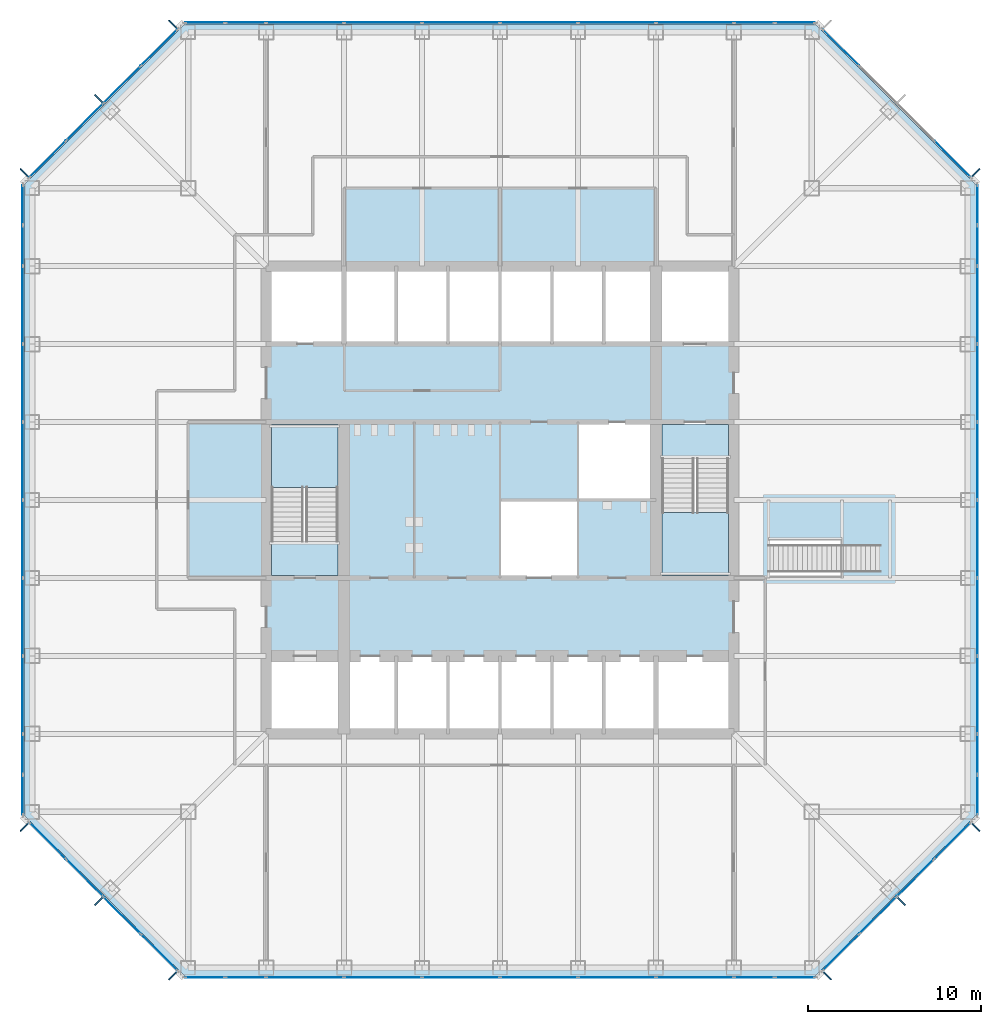
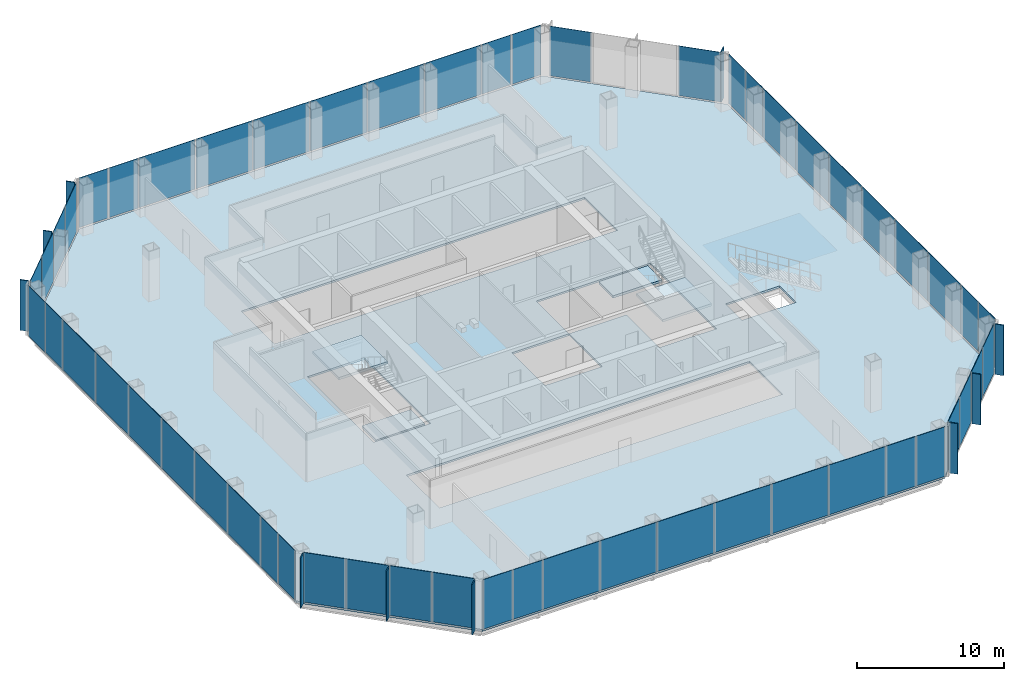
# One storey, part 7 of 12: 64 plates, 5 slabs, 10 elements without a shape of their own.
"""IFC4 building model written with IfcOpenShell, lengths in metres."""

from ifc_helpers import new_model, si_unit, direction, frame, origin, origin_2d, place, context, subcontext, project, spatial, polyline, rectangle, outline, extrude, material, layer, layer_set, type_object, element, aggregate, save


model = new_model("IFC4")

# Units and contexts
model_context = context("Model", 3, precision=1e-05, world=origin(), true_north=direction((0.0, 1.0)))
body_context = subcontext(model_context, "Body", "Model", "MODEL_VIEW")
ifc_project = project(units=[si_unit("LENGTHUNIT", "METRE"), si_unit("AREAUNIT", "SQUARE_METRE"), si_unit("VOLUMEUNIT", "CUBIC_METRE"), si_unit("PLANEANGLEUNIT", "RADIAN"), si_unit("MASSUNIT", "GRAM", prefix="KILO")], contexts=[model_context])

# Site, building, storey
site_placement = place(None, origin())
site = spatial("IfcSite", under=ifc_project, at=site_placement, CompositionType="ELEMENT")
building_placement = place(site_placement, origin())
building = spatial("IfcBuilding", under=site, at=building_placement, Name="Corais Broadcast Tower", CompositionType="ELEMENT")
storey_placement = place(building_placement, frame((0.0, 0.0, 33.199951171875)))
storey = spatial("IfcBuildingStorey", under=building, at=storey_placement, Name="L06", CompositionType="ELEMENT", Elevation=33.199951171875)

# Curtain wall, plates
ifc_material_1 = material(Name="Aluminium and glass", Category="aluminium")
curtain_wall_type = type_object("IfcCurtainWallType", Name="Newsroom clear-glass curtain wall CW7", PredefinedType="NOTDEFINED", material=ifc_material_1)
curtain_wall_1_placement = place(storey_placement, origin())
curtain_wall_1 = element("IfcCurtainWall", 1, at=curtain_wall_1_placement, inside=storey, type_object=curtain_wall_type, Name="CW7 curtain wall L06 1", PredefinedType="NOTDEFINED")
ifc_material_2 = material(Name="Clear low-iron laminated glass", Category="glass")
ifc_layer_1 = layer(ifc_material_2, 0.032958984375)
ifc_layer_set_1 = layer_set([ifc_layer_1], Name="Clear low-iron laminated glass")
plate_type_1 = type_object("IfcPlateType", Name="Clear glass panel CW7", PredefinedType="CURTAIN_PANEL", material=ifc_layer_set_1)
plate_1_placement = place(storey_placement, frame((7.330322265625, 0.891845703125, 0.06494140625), z_axis=(0.0, 0.0, 1.0), x_axis=(-0.707106781187, 0.707106781187, 0.0)))
plate_1 = element("IfcPlate", 2, at=plate_1_placement, type_object=plate_type_1, Name="CW7 panel 1", PredefinedType="CURTAIN_PANEL", context=body_context, shape_type="SweptSolid", body=[
    extrude(rectangle(XDim=2.9482421875, YDim=0.032958984375, at=origin_2d()), origin(), (0.0, 0.0, 1.0), 4.135009765625),
])
plate_2_placement = place(storey_placement, frame((3.0341796875, 5.18798828125, 0.06494140625), z_axis=(0.0, 0.0, 1.0), x_axis=(-0.707106781187, 0.707106781187, 0.0)))
plate_2 = element("IfcPlate", 3, at=plate_2_placement, type_object=plate_type_1, Name="CW7 panel 3", PredefinedType="CURTAIN_PANEL", context=body_context, shape_type="SweptSolid", body=[
    extrude(rectangle(XDim=2.98095703125, YDim=0.032958984375, at=origin_2d()), origin(), (0.0, 0.0, 1.0), 4.135009765625),
])

curtain_wall_2_placement = place(storey_placement, origin())
curtain_wall_2 = element("IfcCurtainWall", 4, at=curtain_wall_2_placement, inside=storey, type_object=curtain_wall_type, Name="CW7 curtain wall L06 2", PredefinedType="NOTDEFINED")
plate_3_placement = place(storey_placement, frame((-0.550048828125, 9.970458984375, 0.06494140625), z_axis=(0.0, 0.0, 1.0), x_axis=(0.0, 1.0, 0.0)))
plate_3 = element("IfcPlate", 5, at=plate_3_placement, type_object=plate_type_1, Name="CW7 panel 1", PredefinedType="CURTAIN_PANEL", context=body_context, shape_type="SweptSolid", body=[
    extrude(rectangle(XDim=2.266357421875, YDim=0.032958984375, at=origin_2d()), origin(), (0.0, 0.0, 1.0), 4.135009765625),
])
plate_4_placement = place(storey_placement, frame((-0.550048828125, 15.75, 0.06494140625), z_axis=(0.0, 0.0, 1.0), x_axis=(0.0, 1.0, 0.0)))
plate_4 = element("IfcPlate", 6, at=plate_4_placement, type_object=plate_type_1, Name="CW7 panel 3", PredefinedType="CURTAIN_PANEL", context=body_context, shape_type="SweptSolid", body=[
    extrude(rectangle(XDim=4.43505859375, YDim=0.032958984375, at=origin_2d()), origin(), (0.0, 0.0, 1.0), 4.135009765625),
])
plate_5_placement = place(storey_placement, frame((-0.550048828125, 24.75, 0.06494140625), z_axis=(0.0, 0.0, 1.0), x_axis=(0.0, 1.0, 0.0)))
plate_5 = element("IfcPlate", 7, at=plate_5_placement, type_object=plate_type_1, Name="CW7 panel 5", PredefinedType="CURTAIN_PANEL", context=body_context, shape_type="SweptSolid", body=[
    extrude(rectangle(XDim=4.43505859375, YDim=0.032958984375, at=origin_2d()), origin(), (0.0, 0.0, 1.0), 4.135009765625),
])
plate_6_placement = place(storey_placement, frame((-0.550048828125, 33.75, 0.06494140625), z_axis=(0.0, 0.0, 1.0), x_axis=(0.0, 1.0, 0.0)))
plate_6 = element("IfcPlate", 8, at=plate_6_placement, type_object=plate_type_1, Name="CW7 panel 7", PredefinedType="CURTAIN_PANEL", context=body_context, shape_type="SweptSolid", body=[
    extrude(rectangle(XDim=4.43505859375, YDim=0.032958984375, at=origin_2d()), origin(), (0.0, 0.0, 1.0), 4.135009765625),
])
plate_7_placement = place(storey_placement, frame((-0.550048828125, 41.681884765625, 0.06494140625), z_axis=(0.0, 0.0, 1.0), x_axis=(0.0, 1.0, 0.0)))
plate_7 = element("IfcPlate", 9, at=plate_7_placement, type_object=plate_type_1, Name="CW7 panel 9", PredefinedType="CURTAIN_PANEL", context=body_context, shape_type="SweptSolid", body=[
    extrude(rectangle(XDim=2.298828125, YDim=0.032958984375, at=origin_2d()), origin(), (0.0, 0.0, 1.0), 4.135009765625),
])

curtain_wall_3_placement = place(storey_placement, origin())
curtain_wall_3 = element("IfcCurtainWall", 10, at=curtain_wall_3_placement, inside=storey, type_object=curtain_wall_type, Name="CW7 curtain wall L06 3", PredefinedType="NOTDEFINED")
plate_8_placement = place(storey_placement, frame((0.891845703125, 46.669677734375, 0.06494140625), z_axis=(0.0, 0.0, 1.0), x_axis=(0.707106781187, 0.707106781187, 0.0)))
plate_8 = element("IfcPlate", 11, at=plate_8_placement, type_object=plate_type_1, Name="CW7 panel 1", PredefinedType="CURTAIN_PANEL", context=body_context, shape_type="SweptSolid", body=[
    extrude(rectangle(XDim=2.9482421875, YDim=0.032958984375, at=origin_2d()), origin(), (0.0, 0.0, 1.0), 4.135009765625),
])
plate_9_placement = place(storey_placement, frame((5.18798828125, 50.9658203125, 0.06494140625), z_axis=(0.0, 0.0, 1.0), x_axis=(0.707106781187, 0.707106781187, 0.0)))
plate_9 = element("IfcPlate", 12, at=plate_9_placement, type_object=plate_type_1, Name="CW7 panel 3", PredefinedType="CURTAIN_PANEL", context=body_context, shape_type="SweptSolid", body=[
    extrude(rectangle(XDim=2.98095703125, YDim=0.032958984375, at=origin_2d()), origin(), (0.0, 0.0, 1.0), 4.135009765625),
])

curtain_wall_4_placement = place(storey_placement, origin())
curtain_wall_4 = element("IfcCurtainWall", 13, at=curtain_wall_4_placement, inside=storey, type_object=curtain_wall_type, Name="CW7 curtain wall L06 4", PredefinedType="NOTDEFINED")
plate_10_placement = place(storey_placement, frame((9.970458984375, 54.550048828125, 0.06494140625), z_axis=(0.0, 0.0, 1.0), x_axis=(1.0, 0.0, 0.0)))
plate_10 = element("IfcPlate", 14, at=plate_10_placement, type_object=plate_type_1, Name="CW7 panel 1", PredefinedType="CURTAIN_PANEL", context=body_context, shape_type="SweptSolid", body=[
    extrude(rectangle(XDim=2.266357421875, YDim=0.032958984375, at=origin_2d()), origin(), (0.0, 0.0, 1.0), 4.135009765625),
])
plate_11_placement = place(storey_placement, frame((15.75, 54.550048828125, 0.06494140625), z_axis=(0.0, 0.0, 1.0), x_axis=(1.0, 0.0, 0.0)))
plate_11 = element("IfcPlate", 15, at=plate_11_placement, type_object=plate_type_1, Name="CW7 panel 3", PredefinedType="CURTAIN_PANEL", context=body_context, shape_type="SweptSolid", body=[
    extrude(rectangle(XDim=4.43505859375, YDim=0.032958984375, at=origin_2d()), origin(), (0.0, 0.0, 1.0), 4.135009765625),
])
plate_12_placement = place(storey_placement, frame((24.75, 54.550048828125, 0.06494140625), z_axis=(0.0, 0.0, 1.0), x_axis=(1.0, 0.0, 0.0)))
plate_12 = element("IfcPlate", 16, at=plate_12_placement, type_object=plate_type_1, Name="CW7 panel 5", PredefinedType="CURTAIN_PANEL", context=body_context, shape_type="SweptSolid", body=[
    extrude(rectangle(XDim=4.43505859375, YDim=0.032958984375, at=origin_2d()), origin(), (0.0, 0.0, 1.0), 4.135009765625),
])
plate_13_placement = place(storey_placement, frame((33.75, 54.550048828125, 0.06494140625), z_axis=(0.0, 0.0, 1.0), x_axis=(1.0, 0.0, 0.0)))
plate_13 = element("IfcPlate", 17, at=plate_13_placement, type_object=plate_type_1, Name="CW7 panel 7", PredefinedType="CURTAIN_PANEL", context=body_context, shape_type="SweptSolid", body=[
    extrude(rectangle(XDim=4.43505859375, YDim=0.032958984375, at=origin_2d()), origin(), (0.0, 0.0, 1.0), 4.135009765625),
])
plate_14_placement = place(storey_placement, frame((41.681884765625, 54.550048828125, 0.06494140625), z_axis=(0.0, 0.0, 1.0), x_axis=(1.0, 0.0, 0.0)))
plate_14 = element("IfcPlate", 18, at=plate_14_placement, type_object=plate_type_1, Name="CW7 panel 9", PredefinedType="CURTAIN_PANEL", context=body_context, shape_type="SweptSolid", body=[
    extrude(rectangle(XDim=2.298828125, YDim=0.032958984375, at=origin_2d()), origin(), (0.0, 0.0, 1.0), 4.135009765625),
])

# Curtain wall, plate
curtain_wall_5_placement = place(storey_placement, origin())
curtain_wall_5 = element("IfcCurtainWall", 19, at=curtain_wall_5_placement, inside=storey, type_object=curtain_wall_type, Name="CW7 curtain wall L06 5", PredefinedType="NOTDEFINED")
plate_15_placement = place(storey_placement, frame((46.669677734375, 53.108154296875, 0.06494140625), z_axis=(0.0, 0.0, 1.0), x_axis=(0.707106781187, -0.707106781187, 0.0)))
plate_15 = element("IfcPlate", 20, at=plate_15_placement, type_object=plate_type_1, Name="CW7 panel 1", PredefinedType="CURTAIN_PANEL", context=body_context, shape_type="SweptSolid", body=[
    extrude(rectangle(XDim=2.9482421875, YDim=0.032958984375, at=origin_2d()), origin(), (0.0, 0.0, 1.0), 4.135009765625),
])

# Curtain wall, plates
curtain_wall_6_placement = place(storey_placement, origin())
curtain_wall_6 = element("IfcCurtainWall", 21, at=curtain_wall_6_placement, inside=storey, type_object=curtain_wall_type, Name="CW7 curtain wall L06 6", PredefinedType="NOTDEFINED")
plate_16_placement = place(storey_placement, frame((54.550048828125, 44.029541015625, 0.06494140625), z_axis=(0.0, 0.0, 1.0), x_axis=(0.0, -1.0, 0.0)))
plate_16 = element("IfcPlate", 22, at=plate_16_placement, type_object=plate_type_1, Name="CW7 panel 1", PredefinedType="CURTAIN_PANEL", context=body_context, shape_type="SweptSolid", body=[
    extrude(rectangle(XDim=2.266357421875, YDim=0.032958984375, at=origin_2d()), origin(), (0.0, 0.0, 1.0), 4.135009765625),
])
plate_17_placement = place(storey_placement, frame((54.550048828125, 38.25, 0.06494140625), z_axis=(0.0, 0.0, 1.0), x_axis=(0.0, -1.0, 0.0)))
plate_17 = element("IfcPlate", 23, at=plate_17_placement, type_object=plate_type_1, Name="CW7 panel 3", PredefinedType="CURTAIN_PANEL", context=body_context, shape_type="SweptSolid", body=[
    extrude(rectangle(XDim=4.43505859375, YDim=0.032958984375, at=origin_2d()), origin(), (0.0, 0.0, 1.0), 4.135009765625),
])
plate_18_placement = place(storey_placement, frame((54.550048828125, 29.25, 0.06494140625), z_axis=(0.0, 0.0, 1.0), x_axis=(0.0, -1.0, 0.0)))
plate_18 = element("IfcPlate", 24, at=plate_18_placement, type_object=plate_type_1, Name="CW7 panel 5", PredefinedType="CURTAIN_PANEL", context=body_context, shape_type="SweptSolid", body=[
    extrude(rectangle(XDim=4.43505859375, YDim=0.032958984375, at=origin_2d()), origin(), (0.0, 0.0, 1.0), 4.135009765625),
])
plate_19_placement = place(storey_placement, frame((54.550048828125, 20.25, 0.06494140625), z_axis=(0.0, 0.0, 1.0), x_axis=(0.0, -1.0, 0.0)))
plate_19 = element("IfcPlate", 25, at=plate_19_placement, type_object=plate_type_1, Name="CW7 panel 7", PredefinedType="CURTAIN_PANEL", context=body_context, shape_type="SweptSolid", body=[
    extrude(rectangle(XDim=4.43505859375, YDim=0.032958984375, at=origin_2d()), origin(), (0.0, 0.0, 1.0), 4.135009765625),
])
plate_20_placement = place(storey_placement, frame((54.550048828125, 12.318115234375, 0.06494140625), z_axis=(0.0, 0.0, 1.0), x_axis=(0.0, -1.0, 0.0)))
plate_20 = element("IfcPlate", 26, at=plate_20_placement, type_object=plate_type_1, Name="CW7 panel 9", PredefinedType="CURTAIN_PANEL", context=body_context, shape_type="SweptSolid", body=[
    extrude(rectangle(XDim=2.298828125, YDim=0.032958984375, at=origin_2d()), origin(), (0.0, 0.0, 1.0), 4.135009765625),
])

curtain_wall_7_placement = place(storey_placement, origin())
curtain_wall_7 = element("IfcCurtainWall", 27, at=curtain_wall_7_placement, inside=storey, type_object=curtain_wall_type, Name="CW7 curtain wall L06 7", PredefinedType="NOTDEFINED")
plate_21_placement = place(storey_placement, frame((53.108154296875, 7.330322265625, 0.06494140625), z_axis=(0.0, 0.0, 1.0), x_axis=(-0.707106781187, -0.707106781187, 0.0)))
plate_21 = element("IfcPlate", 28, at=plate_21_placement, type_object=plate_type_1, Name="CW7 panel 1", PredefinedType="CURTAIN_PANEL", context=body_context, shape_type="SweptSolid", body=[
    extrude(rectangle(XDim=2.9482421875, YDim=0.032958984375, at=origin_2d()), origin(), (0.0, 0.0, 1.0), 4.135009765625),
])
plate_22_placement = place(storey_placement, frame((48.81201171875, 3.0341796875, 0.06494140625), z_axis=(0.0, 0.0, 1.0), x_axis=(-0.707106781187, -0.707106781187, 0.0)))
plate_22 = element("IfcPlate", 29, at=plate_22_placement, type_object=plate_type_1, Name="CW7 panel 3", PredefinedType="CURTAIN_PANEL", context=body_context, shape_type="SweptSolid", body=[
    extrude(rectangle(XDim=2.98095703125, YDim=0.032958984375, at=origin_2d()), origin(), (0.0, 0.0, 1.0), 4.135009765625),
])

curtain_wall_8_placement = place(storey_placement, origin())
curtain_wall_8 = element("IfcCurtainWall", 30, at=curtain_wall_8_placement, inside=storey, type_object=curtain_wall_type, Name="CW7 curtain wall L06 8", PredefinedType="NOTDEFINED")
plate_23_placement = place(storey_placement, frame((44.029541015625, -0.550048828125, 0.06494140625), z_axis=(0.0, 0.0, 1.0), x_axis=(-1.0, 0.0, 0.0)))
plate_23 = element("IfcPlate", 31, at=plate_23_placement, type_object=plate_type_1, Name="CW7 panel 1", PredefinedType="CURTAIN_PANEL", context=body_context, shape_type="SweptSolid", body=[
    extrude(rectangle(XDim=2.266357421875, YDim=0.032958984375, at=origin_2d()), origin(), (0.0, 0.0, 1.0), 4.135009765625),
])
plate_24_placement = place(storey_placement, frame((38.25, -0.550048828125, 0.06494140625), z_axis=(0.0, 0.0, 1.0), x_axis=(-1.0, 0.0, 0.0)))
plate_24 = element("IfcPlate", 32, at=plate_24_placement, type_object=plate_type_1, Name="CW7 panel 3", PredefinedType="CURTAIN_PANEL", context=body_context, shape_type="SweptSolid", body=[
    extrude(rectangle(XDim=4.43505859375, YDim=0.032958984375, at=origin_2d()), origin(), (0.0, 0.0, 1.0), 4.135009765625),
])
plate_25_placement = place(storey_placement, frame((29.25, -0.550048828125, 0.06494140625), z_axis=(0.0, 0.0, 1.0), x_axis=(-1.0, 0.0, 0.0)))
plate_25 = element("IfcPlate", 33, at=plate_25_placement, type_object=plate_type_1, Name="CW7 panel 5", PredefinedType="CURTAIN_PANEL", context=body_context, shape_type="SweptSolid", body=[
    extrude(rectangle(XDim=4.43505859375, YDim=0.032958984375, at=origin_2d()), origin(), (0.0, 0.0, 1.0), 4.135009765625),
])
plate_26_placement = place(storey_placement, frame((20.25, -0.550048828125, 0.06494140625), z_axis=(0.0, 0.0, 1.0), x_axis=(-1.0, 0.0, 0.0)))
plate_26 = element("IfcPlate", 34, at=plate_26_placement, type_object=plate_type_1, Name="CW7 panel 7", PredefinedType="CURTAIN_PANEL", context=body_context, shape_type="SweptSolid", body=[
    extrude(rectangle(XDim=4.43505859375, YDim=0.032958984375, at=origin_2d()), origin(), (0.0, 0.0, 1.0), 4.135009765625),
])
plate_27_placement = place(storey_placement, frame((12.318115234375, -0.550048828125, 0.06494140625), z_axis=(0.0, 0.0, 1.0), x_axis=(-1.0, 0.0, 0.0)))
plate_27 = element("IfcPlate", 35, at=plate_27_placement, type_object=plate_type_1, Name="CW7 panel 9", PredefinedType="CURTAIN_PANEL", context=body_context, shape_type="SweptSolid", body=[
    extrude(rectangle(XDim=2.298828125, YDim=0.032958984375, at=origin_2d()), origin(), (0.0, 0.0, 1.0), 4.135009765625),
])

# Slab
ifc_material_3 = material(Name="Concrete C30/37", Category="concrete")
ifc_layer_2 = layer(ifc_material_3, 0.159912109375)
ifc_layer_set_2 = layer_set([ifc_layer_2], Name="Concrete C30/37")
slab_type_1 = type_object("IfcSlabType", Name="Composite floor slab 160", PredefinedType="FLOOR", material=ifc_layer_set_2)
slab_1_placement = place(storey_placement, frame((0.0, 0.0, -0.159912109375)))
element("IfcSlab", 36, at=slab_1_placement, inside=storey, type_object=slab_type_1, Name="S160 floor slab L06", PredefinedType="FLOOR", context=body_context, shape_type="SweptSolid", body=[
    extrude(outline(polyline([(8.80126953125, -0.47998046875), (-0.47998046875, 8.80126953125), (-0.47998046875, 45.19873046875), (8.80126953125, 54.47998046875), (45.19873046875, 54.47998046875), (54.47998046875, 45.19873046875), (54.47998046875, 8.80126953125), (45.19873046875, -0.47998046875), (8.80126953125, -0.47998046875)]), holes=[polyline([(13.5, 18.0), (40.5, 18.0), (40.5, 13.5), (13.5, 13.5), (13.5, 18.0)]), polyline([(18.0, 22.5), (13.5, 22.5), (13.5, 31.5), (18.0, 31.5), (18.0, 22.5)]), polyline([(13.5, 40.5), (40.5, 40.5), (40.5, 36.0), (13.5, 36.0), (13.5, 40.5)]), polyline([(31.5, 22.5), (27.0, 22.5), (27.0, 27.0), (31.4951171875, 27.0), (31.4951171875, 27.0048828125), (31.5, 27.0048828125), (31.5, 31.5), (40.5, 31.5), (40.5, 22.5), (36.0, 22.5), (36.0, 27.0), (31.5048828125, 27.0), (31.5048828125, 26.9951171875), (31.5, 26.9951171875), (31.5, 22.5)]), polyline([(42.5, 22.5), (42.5, 24.75), (46.75, 24.75), (46.75, 22.5), (42.5, 22.5)])]), origin(), (0.0, 0.0, 1.0), 0.159912109375),
])

# Plate
ifc_material_4 = material(Name="Clear laminated glass", Category="glass")
ifc_layer_3 = layer(ifc_material_4, 0.037109375)
ifc_layer_set_3 = layer_set([ifc_layer_3], Name="Clear laminated glass")
plate_type_2 = type_object("IfcPlateType", Name="Operable glass panel CW7", PredefinedType="CURTAIN_PANEL", material=ifc_layer_set_3)
plate_28_placement = place(storey_placement, frame((5.18798828125, 3.0341796875, 0.06494140625), z_axis=(0.0, 0.0, 1.0), x_axis=(-0.707106781187, 0.707106781187, 0.0)))
plate_28 = element("IfcPlate", 37, at=plate_28_placement, type_object=plate_type_2, Name="CW7 operable panel 2", PredefinedType="CURTAIN_PANEL", context=body_context, shape_type="SweptSolid", body=[
    extrude(rectangle(XDim=2.98095703125, YDim=0.037109375, at=origin_2d()), origin(), (0.0, 0.0, 1.0), 4.135009765625),
])

plate_29_placement = place(storey_placement, frame((0.89208984375, 7.330322265625, 0.06494140625), z_axis=(0.0, 0.0, 1.0), x_axis=(-0.707106781187, 0.707106781187, 0.0)))
plate_29 = element("IfcPlate", 38, at=plate_29_placement, type_object=plate_type_2, Name="CW7 operable panel 4", PredefinedType="CURTAIN_PANEL", context=body_context, shape_type="SweptSolid", body=[
    extrude(rectangle(XDim=2.948486328125, YDim=0.037109375, at=origin_2d()), origin(), (0.0, 0.0, 1.0), 4.135009765625),
])

aggregate(curtain_wall_1, [plate_1, plate_28, plate_2, plate_29])

plate_30_placement = place(storey_placement, frame((-0.550048828125, 12.318115234375, 0.06494140625), z_axis=(0.0, 0.0, 1.0), x_axis=(0.0, 1.0, 0.0)))
plate_30 = element("IfcPlate", 39, at=plate_30_placement, type_object=plate_type_2, Name="CW7 operable panel 2", PredefinedType="CURTAIN_PANEL", context=body_context, shape_type="SweptSolid", body=[
    extrude(rectangle(XDim=2.298828125, YDim=0.037109375, at=origin_2d()), origin(), (0.0, 0.0, 1.0), 4.135009765625),
])

plate_31_placement = place(storey_placement, frame((-0.550048828125, 20.25, 0.06494140625), z_axis=(0.0, 0.0, 1.0), x_axis=(0.0, 1.0, 0.0)))
plate_31 = element("IfcPlate", 40, at=plate_31_placement, type_object=plate_type_2, Name="CW7 operable panel 4", PredefinedType="CURTAIN_PANEL", context=body_context, shape_type="SweptSolid", body=[
    extrude(rectangle(XDim=4.43505859375, YDim=0.037109375, at=origin_2d()), origin(), (0.0, 0.0, 1.0), 4.135009765625),
])

plate_32_placement = place(storey_placement, frame((-0.550048828125, 29.25, 0.06494140625), z_axis=(0.0, 0.0, 1.0), x_axis=(0.0, 1.0, 0.0)))
plate_32 = element("IfcPlate", 41, at=plate_32_placement, type_object=plate_type_2, Name="CW7 operable panel 6", PredefinedType="CURTAIN_PANEL", context=body_context, shape_type="SweptSolid", body=[
    extrude(rectangle(XDim=4.43505859375, YDim=0.037109375, at=origin_2d()), origin(), (0.0, 0.0, 1.0), 4.135009765625),
])

plate_33_placement = place(storey_placement, frame((-0.550048828125, 38.25, 0.06494140625), z_axis=(0.0, 0.0, 1.0), x_axis=(0.0, 1.0, 0.0)))
plate_33 = element("IfcPlate", 42, at=plate_33_placement, type_object=plate_type_2, Name="CW7 operable panel 8", PredefinedType="CURTAIN_PANEL", context=body_context, shape_type="SweptSolid", body=[
    extrude(rectangle(XDim=4.43505859375, YDim=0.037109375, at=origin_2d()), origin(), (0.0, 0.0, 1.0), 4.135009765625),
])

plate_34_placement = place(storey_placement, frame((-0.550048828125, 44.029541015625, 0.06494140625), z_axis=(0.0, 0.0, 1.0), x_axis=(0.0, 1.0, 0.0)))
plate_34 = element("IfcPlate", 43, at=plate_34_placement, type_object=plate_type_2, Name="CW7 operable panel 10", PredefinedType="CURTAIN_PANEL", context=body_context, shape_type="SweptSolid", body=[
    extrude(rectangle(XDim=2.266357421875, YDim=0.037109375, at=origin_2d()), origin(), (0.0, 0.0, 1.0), 4.135009765625),
])

aggregate(curtain_wall_2, [plate_3, plate_30, plate_4, plate_31, plate_5, plate_32, plate_6, plate_33, plate_7, plate_34])

plate_35_placement = place(storey_placement, frame((3.0341796875, 48.81201171875, 0.06494140625), z_axis=(0.0, 0.0, 1.0), x_axis=(0.707106781187, 0.707106781187, 0.0)))
plate_35 = element("IfcPlate", 44, at=plate_35_placement, type_object=plate_type_2, Name="CW7 operable panel 2", PredefinedType="CURTAIN_PANEL", context=body_context, shape_type="SweptSolid", body=[
    extrude(rectangle(XDim=2.98095703125, YDim=0.037109375, at=origin_2d()), origin(), (0.0, 0.0, 1.0), 4.135009765625),
])

plate_36_placement = place(storey_placement, frame((7.330322265625, 53.10791015625, 0.06494140625), z_axis=(0.0, 0.0, 1.0), x_axis=(0.707106781187, 0.707106781187, 0.0)))
plate_36 = element("IfcPlate", 45, at=plate_36_placement, type_object=plate_type_2, Name="CW7 operable panel 4", PredefinedType="CURTAIN_PANEL", context=body_context, shape_type="SweptSolid", body=[
    extrude(rectangle(XDim=2.948486328125, YDim=0.037109375, at=origin_2d()), origin(), (0.0, 0.0, 1.0), 4.135009765625),
])

aggregate(curtain_wall_3, [plate_8, plate_35, plate_9, plate_36])

plate_37_placement = place(storey_placement, frame((12.318115234375, 54.550048828125, 0.06494140625), z_axis=(0.0, 0.0, 1.0), x_axis=(1.0, 0.0, 0.0)))
plate_37 = element("IfcPlate", 46, at=plate_37_placement, type_object=plate_type_2, Name="CW7 operable panel 2", PredefinedType="CURTAIN_PANEL", context=body_context, shape_type="SweptSolid", body=[
    extrude(rectangle(XDim=2.298828125, YDim=0.037109375, at=origin_2d()), origin(), (0.0, 0.0, 1.0), 4.135009765625),
])

plate_38_placement = place(storey_placement, frame((20.25, 54.550048828125, 0.06494140625), z_axis=(0.0, 0.0, 1.0), x_axis=(1.0, 0.0, 0.0)))
plate_38 = element("IfcPlate", 47, at=plate_38_placement, type_object=plate_type_2, Name="CW7 operable panel 4", PredefinedType="CURTAIN_PANEL", context=body_context, shape_type="SweptSolid", body=[
    extrude(rectangle(XDim=4.43505859375, YDim=0.037109375, at=origin_2d()), origin(), (0.0, 0.0, 1.0), 4.135009765625),
])

plate_39_placement = place(storey_placement, frame((29.25, 54.550048828125, 0.06494140625), z_axis=(0.0, 0.0, 1.0), x_axis=(1.0, 0.0, 0.0)))
plate_39 = element("IfcPlate", 48, at=plate_39_placement, type_object=plate_type_2, Name="CW7 operable panel 6", PredefinedType="CURTAIN_PANEL", context=body_context, shape_type="SweptSolid", body=[
    extrude(rectangle(XDim=4.43505859375, YDim=0.037109375, at=origin_2d()), origin(), (0.0, 0.0, 1.0), 4.135009765625),
])

plate_40_placement = place(storey_placement, frame((38.25, 54.550048828125, 0.06494140625), z_axis=(0.0, 0.0, 1.0), x_axis=(1.0, 0.0, 0.0)))
plate_40 = element("IfcPlate", 49, at=plate_40_placement, type_object=plate_type_2, Name="CW7 operable panel 8", PredefinedType="CURTAIN_PANEL", context=body_context, shape_type="SweptSolid", body=[
    extrude(rectangle(XDim=4.43505859375, YDim=0.037109375, at=origin_2d()), origin(), (0.0, 0.0, 1.0), 4.135009765625),
])

plate_41_placement = place(storey_placement, frame((44.029541015625, 54.550048828125, 0.06494140625), z_axis=(0.0, 0.0, 1.0), x_axis=(1.0, 0.0, 0.0)))
plate_41 = element("IfcPlate", 50, at=plate_41_placement, type_object=plate_type_2, Name="CW7 operable panel 10", PredefinedType="CURTAIN_PANEL", context=body_context, shape_type="SweptSolid", body=[
    extrude(rectangle(XDim=2.266357421875, YDim=0.037109375, at=origin_2d()), origin(), (0.0, 0.0, 1.0), 4.135009765625),
])

aggregate(curtain_wall_4, [plate_10, plate_37, plate_11, plate_38, plate_12, plate_39, plate_13, plate_40, plate_14, plate_41])

plate_42_placement = place(storey_placement, frame((53.10791015625, 46.669677734375, 0.06494140625), z_axis=(0.0, 0.0, 1.0), x_axis=(0.707106781187, -0.707106781187, 0.0)))
plate_42 = element("IfcPlate", 51, at=plate_42_placement, type_object=plate_type_2, Name="CW7 operable panel 4", PredefinedType="CURTAIN_PANEL", context=body_context, shape_type="SweptSolid", body=[
    extrude(rectangle(XDim=2.948486328125, YDim=0.037109375, at=origin_2d()), origin(), (0.0, 0.0, 1.0), 4.135009765625),
])

aggregate(curtain_wall_5, [plate_15, plate_42])

plate_43_placement = place(storey_placement, frame((54.550048828125, 41.681884765625, 0.06494140625), z_axis=(0.0, 0.0, 1.0), x_axis=(0.0, -1.0, 0.0)))
plate_43 = element("IfcPlate", 52, at=plate_43_placement, type_object=plate_type_2, Name="CW7 operable panel 2", PredefinedType="CURTAIN_PANEL", context=body_context, shape_type="SweptSolid", body=[
    extrude(rectangle(XDim=2.298828125, YDim=0.037109375, at=origin_2d()), origin(), (0.0, 0.0, 1.0), 4.135009765625),
])

plate_44_placement = place(storey_placement, frame((54.550048828125, 33.75, 0.06494140625), z_axis=(0.0, 0.0, 1.0), x_axis=(0.0, -1.0, 0.0)))
plate_44 = element("IfcPlate", 53, at=plate_44_placement, type_object=plate_type_2, Name="CW7 operable panel 4", PredefinedType="CURTAIN_PANEL", context=body_context, shape_type="SweptSolid", body=[
    extrude(rectangle(XDim=4.43505859375, YDim=0.037109375, at=origin_2d()), origin(), (0.0, 0.0, 1.0), 4.135009765625),
])

plate_45_placement = place(storey_placement, frame((54.550048828125, 24.75, 0.06494140625), z_axis=(0.0, 0.0, 1.0), x_axis=(0.0, -1.0, 0.0)))
plate_45 = element("IfcPlate", 54, at=plate_45_placement, type_object=plate_type_2, Name="CW7 operable panel 6", PredefinedType="CURTAIN_PANEL", context=body_context, shape_type="SweptSolid", body=[
    extrude(rectangle(XDim=4.43505859375, YDim=0.037109375, at=origin_2d()), origin(), (0.0, 0.0, 1.0), 4.135009765625),
])

plate_46_placement = place(storey_placement, frame((54.550048828125, 15.75, 0.06494140625), z_axis=(0.0, 0.0, 1.0), x_axis=(0.0, -1.0, 0.0)))
plate_46 = element("IfcPlate", 55, at=plate_46_placement, type_object=plate_type_2, Name="CW7 operable panel 8", PredefinedType="CURTAIN_PANEL", context=body_context, shape_type="SweptSolid", body=[
    extrude(rectangle(XDim=4.43505859375, YDim=0.037109375, at=origin_2d()), origin(), (0.0, 0.0, 1.0), 4.135009765625),
])

plate_47_placement = place(storey_placement, frame((54.550048828125, 9.970458984375, 0.06494140625), z_axis=(0.0, 0.0, 1.0), x_axis=(0.0, -1.0, 0.0)))
plate_47 = element("IfcPlate", 56, at=plate_47_placement, type_object=plate_type_2, Name="CW7 operable panel 10", PredefinedType="CURTAIN_PANEL", context=body_context, shape_type="SweptSolid", body=[
    extrude(rectangle(XDim=2.266357421875, YDim=0.037109375, at=origin_2d()), origin(), (0.0, 0.0, 1.0), 4.135009765625),
])

aggregate(curtain_wall_6, [plate_16, plate_43, plate_17, plate_44, plate_18, plate_45, plate_19, plate_46, plate_20, plate_47])

plate_48_placement = place(storey_placement, frame((50.9658203125, 5.18798828125, 0.06494140625), z_axis=(0.0, 0.0, 1.0), x_axis=(-0.707106781187, -0.707106781187, 0.0)))
plate_48 = element("IfcPlate", 57, at=plate_48_placement, type_object=plate_type_2, Name="CW7 operable panel 2", PredefinedType="CURTAIN_PANEL", context=body_context, shape_type="SweptSolid", body=[
    extrude(rectangle(XDim=2.98095703125, YDim=0.037109375, at=origin_2d()), origin(), (0.0, 0.0, 1.0), 4.135009765625),
])

plate_49_placement = place(storey_placement, frame((46.669677734375, 0.89208984375, 0.06494140625), z_axis=(0.0, 0.0, 1.0), x_axis=(-0.707106781187, -0.707106781187, 0.0)))
plate_49 = element("IfcPlate", 58, at=plate_49_placement, type_object=plate_type_2, Name="CW7 operable panel 4", PredefinedType="CURTAIN_PANEL", context=body_context, shape_type="SweptSolid", body=[
    extrude(rectangle(XDim=2.948486328125, YDim=0.037109375, at=origin_2d()), origin(), (0.0, 0.0, 1.0), 4.135009765625),
])

aggregate(curtain_wall_7, [plate_21, plate_48, plate_22, plate_49])

plate_50_placement = place(storey_placement, frame((41.681884765625, -0.550048828125, 0.06494140625), z_axis=(0.0, 0.0, 1.0), x_axis=(-1.0, 0.0, 0.0)))
plate_50 = element("IfcPlate", 59, at=plate_50_placement, type_object=plate_type_2, Name="CW7 operable panel 2", PredefinedType="CURTAIN_PANEL", context=body_context, shape_type="SweptSolid", body=[
    extrude(rectangle(XDim=2.298828125, YDim=0.037109375, at=origin_2d()), origin(), (0.0, 0.0, 1.0), 4.135009765625),
])

plate_51_placement = place(storey_placement, frame((33.75, -0.550048828125, 0.06494140625), z_axis=(0.0, 0.0, 1.0), x_axis=(-1.0, 0.0, 0.0)))
plate_51 = element("IfcPlate", 60, at=plate_51_placement, type_object=plate_type_2, Name="CW7 operable panel 4", PredefinedType="CURTAIN_PANEL", context=body_context, shape_type="SweptSolid", body=[
    extrude(rectangle(XDim=4.43505859375, YDim=0.037109375, at=origin_2d()), origin(), (0.0, 0.0, 1.0), 4.135009765625),
])

plate_52_placement = place(storey_placement, frame((24.75, -0.550048828125, 0.06494140625), z_axis=(0.0, 0.0, 1.0), x_axis=(-1.0, 0.0, 0.0)))
plate_52 = element("IfcPlate", 61, at=plate_52_placement, type_object=plate_type_2, Name="CW7 operable panel 6", PredefinedType="CURTAIN_PANEL", context=body_context, shape_type="SweptSolid", body=[
    extrude(rectangle(XDim=4.43505859375, YDim=0.037109375, at=origin_2d()), origin(), (0.0, 0.0, 1.0), 4.135009765625),
])

plate_53_placement = place(storey_placement, frame((15.75, -0.550048828125, 0.06494140625), z_axis=(0.0, 0.0, 1.0), x_axis=(-1.0, 0.0, 0.0)))
plate_53 = element("IfcPlate", 62, at=plate_53_placement, type_object=plate_type_2, Name="CW7 operable panel 8", PredefinedType="CURTAIN_PANEL", context=body_context, shape_type="SweptSolid", body=[
    extrude(rectangle(XDim=4.43505859375, YDim=0.037109375, at=origin_2d()), origin(), (0.0, 0.0, 1.0), 4.135009765625),
])

plate_54_placement = place(storey_placement, frame((9.970458984375, -0.550048828125, 0.06494140625), z_axis=(0.0, 0.0, 1.0), x_axis=(-1.0, 0.0, 0.0)))
plate_54 = element("IfcPlate", 63, at=plate_54_placement, type_object=plate_type_2, Name="CW7 operable panel 10", PredefinedType="CURTAIN_PANEL", context=body_context, shape_type="SweptSolid", body=[
    extrude(rectangle(XDim=2.266357421875, YDim=0.037109375, at=origin_2d()), origin(), (0.0, 0.0, 1.0), 4.135009765625),
])

aggregate(curtain_wall_8, [plate_23, plate_50, plate_24, plate_51, plate_25, plate_52, plate_26, plate_53, plate_27, plate_54])

# Stair, slabs
ifc_material_5 = material(Name="Concrete C30/37", Category="concrete")
stair_type = type_object("IfcStairType", Name="Half-turn stair 4200", PredefinedType="HALF_TURN_STAIR", material=ifc_material_5)
stair_1_placement = place(storey_placement, origin())
stair_1 = element("IfcStair", 64, at=stair_1_placement, inside=storey, type_object=stair_type, Name="Stair A L06", PredefinedType="HALF_TURN_STAIR")
ifc_material_6 = material(Name="Concrete C30/37", Category="concrete")
ifc_layer_4 = layer(ifc_material_6, 0.199951171875)
ifc_layer_set_4 = layer_set([ifc_layer_4], Name="Concrete C30/37")
slab_type_2 = type_object("IfcSlabType", Name="Stair landing 200", PredefinedType="LANDING", material=ifc_layer_set_4)
slab_2_placement = place(storey_placement, frame((0.0, 0.0, -0.199951171875)))
slab_2 = element("IfcSlab", 65, at=slab_2_placement, type_object=slab_type_2, Name="STA landing 1", PredefinedType="LANDING", context=body_context, shape_type="SweptSolid", body=[
    extrude(outline(polyline([(13.800048828125, 22.64990234375), (17.64990234375, 22.64990234375), (17.64990234375, 24.60009765625), (13.800048828125, 24.60009765625), (13.800048828125, 22.64990234375)])), origin(), (0.0, 0.0, 1.0), 0.199951171875),
])
slab_3_placement = place(storey_placement, frame((0.0, 0.0, 1.900146484375)))
slab_3 = element("IfcSlab", 66, at=slab_3_placement, type_object=slab_type_2, Name="STA landing 2", PredefinedType="LANDING", context=body_context, shape_type="SweptSolid", body=[
    extrude(outline(polyline([(13.800048828125, 27.735107421875), (17.64990234375, 27.735107421875), (17.64990234375, 31.35009765625), (13.800048828125, 31.35009765625), (13.800048828125, 27.735107421875)])), origin(), (0.0, 0.0, 1.0), 0.199951171875),
])
aggregate(stair_1, [slab_2, slab_3])

stair_2_placement = place(storey_placement, origin())
stair_2 = element("IfcStair", 67, at=stair_2_placement, inside=storey, type_object=stair_type, Name="Stair B L06", PredefinedType="HALF_TURN_STAIR")
slab_4_placement = place(storey_placement, frame((0.0, 0.0, -0.199951171875)))
slab_4 = element("IfcSlab", 68, at=slab_4_placement, type_object=slab_type_2, Name="STB landing 1", PredefinedType="LANDING", context=body_context, shape_type="SweptSolid", body=[
    extrude(outline(polyline([(36.35009765625, 29.39990234375), (40.199951171875, 29.39990234375), (40.199951171875, 31.35009765625), (36.35009765625, 31.35009765625), (36.35009765625, 29.39990234375)])), origin(), (0.0, 0.0, 1.0), 0.199951171875),
])
slab_5_placement = place(storey_placement, frame((0.0, 0.0, 1.900146484375)))
slab_5 = element("IfcSlab", 69, at=slab_5_placement, type_object=slab_type_2, Name="STB landing 2", PredefinedType="LANDING", context=body_context, shape_type="SweptSolid", body=[
    extrude(outline(polyline([(36.35009765625, 22.64990234375), (40.199951171875, 22.64990234375), (40.199951171875, 26.264892578125), (36.35009765625, 26.264892578125), (36.35009765625, 22.64990234375)])), origin(), (0.0, 0.0, 1.0), 0.199951171875),
])
aggregate(stair_2, [slab_4, slab_5])

# Plates
ifc_material_7 = material(Name="Granite stone cladding", Category="masonry")
ifc_layer_5 = layer(ifc_material_7, 0.080078125)
ifc_layer_set_5 = layer_set([ifc_layer_5], Name="Granite stone cladding")
plate_type_3 = type_object("IfcPlateType", Name="Stone screen fin 80x600", PredefinedType="USERDEFINED", material=ifc_layer_set_5)
for number, where, z_axis, x_axis, name in (
    (70, (8.10791015625, -0.461181640625, 0.0), (0.0, 0.0, 1.0), (-0.707106781187, 0.707106781187, 0.0), "SF1 stone screen fin L06"),
    (71, (3.8232421875, 3.8232421875, 0.0), (0.0, 0.0, 1.0), (-0.707106781187, 0.707106781187, 0.0), "SF1 stone screen fin L06"),
    (72, (-0.461181640625, 8.10791015625, 0.0), (0.0, 0.0, 1.0), (-0.707106781187, 0.707106781187, 0.0), "SF1 stone screen fin L06"),
    (73, (-0.461181640625, 45.89208984375, 0.0), (0.0, 0.0, 1.0), (0.707106781187, 0.707106781187, 0.0), "SF1 stone screen fin L06"),
    (74, (3.8232421875, 50.1767578125, 0.0), (0.0, 0.0, 1.0), (0.707106781187, 0.707106781187, 0.0), "SF1 stone screen fin L06"),
    (75, (8.10791015625, 54.461181640625, 0.0), (0.0, 0.0, 1.0), (0.707106781187, 0.707106781187, 0.0), "SF1 stone screen fin L06"),
    (76, (54.461181640625, 45.89208984375, 0.0), (0.0, 0.0, 1.0), (0.707106781187, -0.707106781187, 0.0), "SF1 stone screen fin L06"),
    (77, (54.461181640625, 8.10791015625, 0.0), (0.0, 0.0, 1.0), (-0.707106781187, -0.707106781187, 0.0), "SF1 stone screen fin L06"),
    (78, (50.1767578125, 3.8232421875, 0.0), (0.0, 0.0, 1.0), (-0.707106781187, -0.707106781187, 0.0), "SF1 stone screen fin L06"),
    (79, (45.89208984375, -0.461181640625, 0.0), (0.0, 0.0, 1.0), (-0.707106781187, -0.707106781187, 0.0), "SF1 stone screen fin L06"),
):
    element("IfcPlate", number, at=place(storey_placement, frame(where, z_axis=z_axis, x_axis=x_axis)), inside=storey, type_object=plate_type_3, Name=name, ObjectType="STONE SCREEN FIN", PredefinedType="USERDEFINED", context=body_context, shape_type="SweptSolid", body=[
        extrude(rectangle(XDim=0.080078125, YDim=0.60009765625, at=origin_2d()), origin(), (0.0, 0.0, 1.0), 4.199951171875),
    ])

save(model, "model.ifc")
